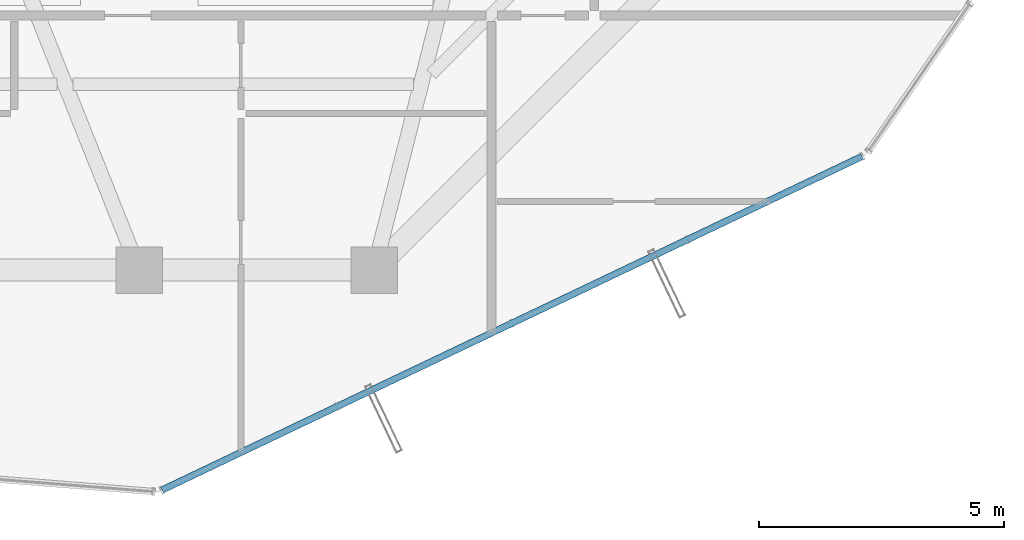
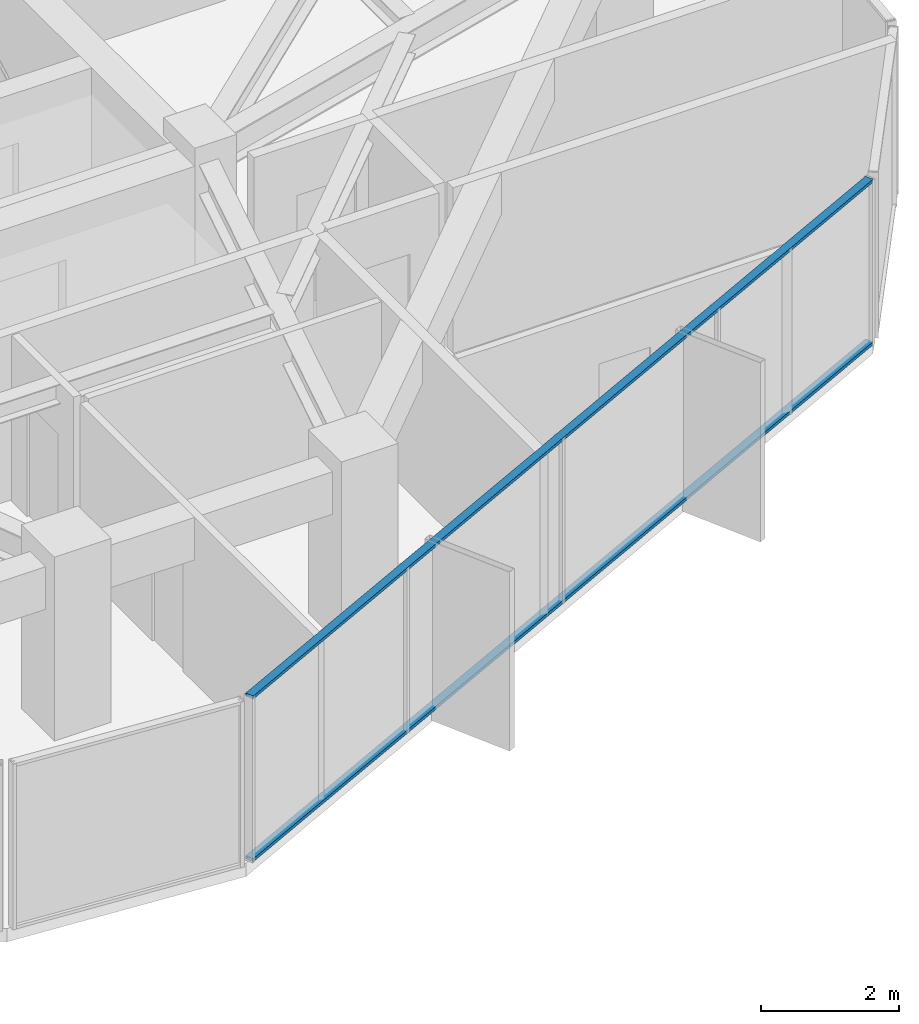
# One storey, part 7 of 29: 2 members, 1 element without a shape of its own.
"""IFC4 building model written with IfcOpenShell, lengths in metres."""

from ifc_helpers import new_model, si_unit, direction, frame, origin, origin_2d, place, context, subcontext, project, spatial, hollow_rectangle, extrude, source, transform, mapped, material, layer, layer_set, material_profile, profile_set, type_object, element, aggregate, save


model = new_model("IFC4")

# Units and contexts
model_context = context("Model", 3, precision=1e-05, world=origin(), true_north=direction((0.0, 1.0)))
body_context = subcontext(model_context, "Body", "Model", "MODEL_VIEW")
ifc_project = project(units=[si_unit("LENGTHUNIT", "METRE"), si_unit("AREAUNIT", "SQUARE_METRE"), si_unit("VOLUMEUNIT", "CUBIC_METRE"), si_unit("PLANEANGLEUNIT", "RADIAN"), si_unit("MASSUNIT", "GRAM", prefix="KILO")], contexts=[model_context])

# Site, building, storey
site_placement = place(None, origin())
site = spatial("IfcSite", under=ifc_project, at=site_placement, CompositionType="ELEMENT")
building_placement = place(site_placement, origin())
building = spatial("IfcBuilding", under=site, at=building_placement, Name="Veraguas Prism Commons", CompositionType="ELEMENT")
storey_placement = place(building_placement, frame((0.0, 0.0, 222.14990234375)))
storey = spatial("IfcBuildingStorey", under=building, at=storey_placement, Name="L63", CompositionType="ELEMENT", Elevation=222.14990234375)

# Curtain wall, members
ifc_material = material(Name="Anodised aluminium EN AW-6063 T6", Category="aluminium")
ifc_layer = layer(ifc_material, 0.14990234375, Name="Unitised Flush Curtain Wall Zone 3", Category="aluminium")
ifc_layer_set = layer_set([ifc_layer], Name="Anodised aluminium EN AW-6063 T6")
curtain_wall_type = type_object("IfcCurtainWallType", Name="Unitised Flush Curtain Wall Zone 3", PredefinedType="NOTDEFINED", material=ifc_layer_set)
curtain_wall_placement = place(storey_placement, origin())
curtain_wall = element("IfcCurtainWall", 1, at=curtain_wall_placement, inside=storey, type_object=curtain_wall_type, Name="Tower Facade Curtain Wall L63-F5", PredefinedType="NOTDEFINED")
ifc_material_profile = material_profile(ifc_material, hollow_rectangle(XDim=0.054931640625, YDim=0.135009765625, WallThickness=0.0029296875, at=origin_2d()), Name="AL55X135X3")
ifc_profile_set = profile_set([ifc_material_profile], Name="Anodised aluminium EN AW-6063 T6")
member_type = type_object("IfcMemberType", Name="Curtain Wall Transom Standard AL 55x135x3", PredefinedType="USERDEFINED", material=ifc_profile_set)
shared_shape = source(origin(), body_context, "Body", "SweptSolid", [
    extrude(hollow_rectangle(XDim=0.054931640625, YDim=0.135009765625, WallThickness=0.0029296875, at=origin_2d()), origin(), (0.0, 0.0, 1.0), 15.84228515625),
])
member_1_placement = place(storey_placement, frame((24.46826171875, 4.604736328125, 0.027587890625), z_axis=(0.902730582988, 0.430206339491, 0.0), x_axis=(0.0, 0.0, 1.0)))
member_1 = element("IfcMember", 2, at=member_1_placement, type_object=member_type, Name="CW-Z3 Transom 1", ObjectType="TRANSOM", PredefinedType="USERDEFINED", context=body_context, shape_type="MappedRepresentation", body=[
    mapped(shared_shape, transform((0.0, 0.0, 0.0), scale=1.0)),
])
member_2_placement = place(storey_placement, frame((24.46826171875, 4.604736328125, 2.902587890625), z_axis=(0.902730582988, 0.430206339491, 0.0), x_axis=(0.0, 0.0, 1.0)))
member_2 = element("IfcMember", 3, at=member_2_placement, type_object=member_type, Name="CW-Z3 Transom 2", ObjectType="TRANSOM", PredefinedType="USERDEFINED", context=body_context, shape_type="MappedRepresentation", body=[
    mapped(shared_shape, transform((0.0, 0.0, 0.0), scale=1.0)),
])
aggregate(curtain_wall, [member_1, member_2])

save(model, "model.ifc")
